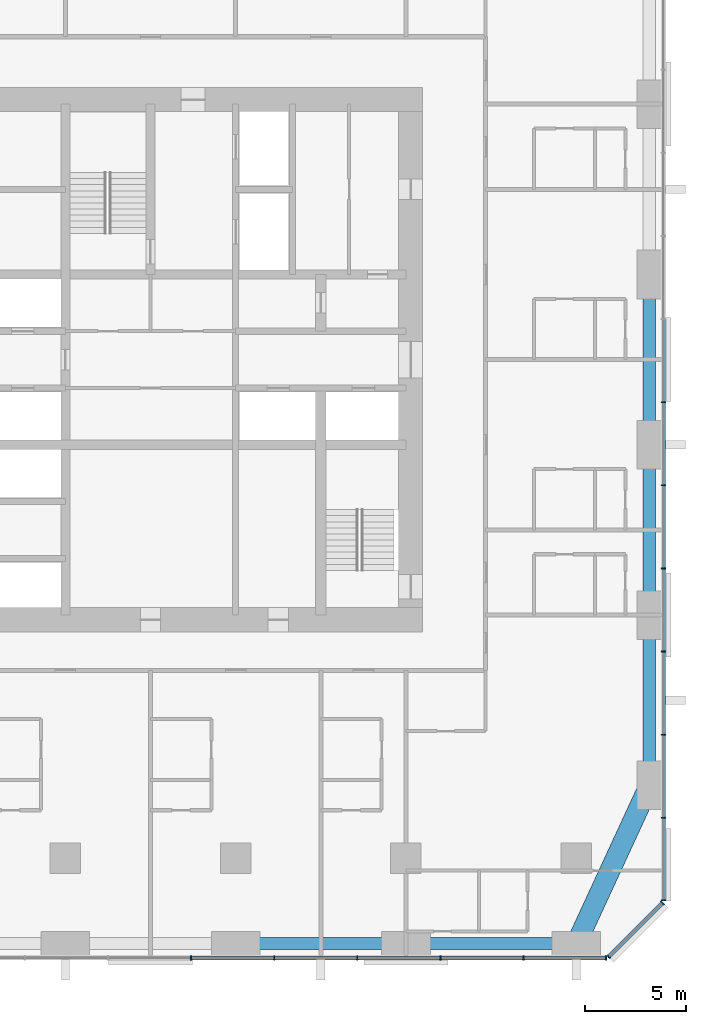
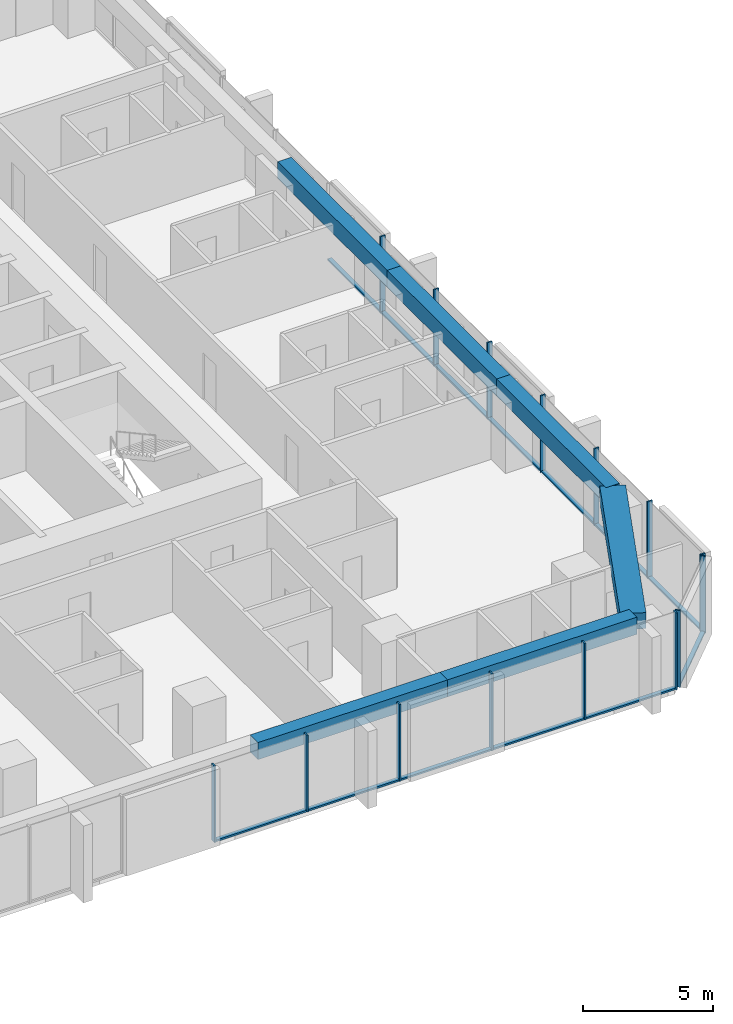
# One storey, part 4 of 14: 28 members, 6 beams, 3 elements without a shape of their own.
"""IFC4 building model written with IfcOpenShell, lengths in metres."""

from ifc_helpers import new_model, si_unit, direction, frame, origin, origin_2d, place, context, subcontext, project, spatial, rectangle, extrude, material, material_profile, profile_set, type_object, element, aggregate, save


model = new_model("IFC4")

# Units and contexts
model_context = context("Model", 3, precision=1e-05, world=origin(), true_north=direction((0.0, 1.0)))
body_context = subcontext(model_context, "Body", "Model", "MODEL_VIEW")
ifc_project = project(units=[si_unit("LENGTHUNIT", "METRE"), si_unit("AREAUNIT", "SQUARE_METRE"), si_unit("VOLUMEUNIT", "CUBIC_METRE"), si_unit("PLANEANGLEUNIT", "RADIAN"), si_unit("MASSUNIT", "GRAM", prefix="KILO")], contexts=[model_context])

# Site, building, storey
site_placement = place(None, origin())
site = spatial("IfcSite", under=ifc_project, at=site_placement, CompositionType="ELEMENT")
building_placement = place(site_placement, origin())
building = spatial("IfcBuilding", under=site, at=building_placement, Name="Dunama Terrace Hotel", CompositionType="ELEMENT")
storey_placement = place(building_placement, frame((0.0, 0.0, 100.800048828125)))
storey = spatial("IfcBuildingStorey", under=building, at=storey_placement, Name="L25", CompositionType="ELEMENT", Elevation=100.800048828125)

# Curtain wall, members
ifc_material_1 = material(Name="Aluminium curtain wall system", Category="aluminium")
curtain_wall_type = type_object("IfcCurtainWallType", Name="Unitised fritted glass wall CW-B", PredefinedType="NOTDEFINED", material=ifc_material_1)
curtain_wall_1_placement = place(storey_placement, origin())
curtain_wall_1 = element("IfcCurtainWall", 1, at=curtain_wall_1_placement, inside=storey, type_object=curtain_wall_type, Name="Unitised fritted glass wall CW-B L25", PredefinedType="NOTDEFINED")
ifc_material_2 = material(Name="Aluminium mullion", Category="aluminium")
ifc_material_profile_1 = material_profile(ifc_material_2, rectangle(XDim=0.06494140625, YDim=0.219970703125, at=origin_2d()), Name="CWB MULLION 65X220")
ifc_profile_set_1 = profile_set([ifc_material_profile_1], Name="Aluminium mullion")
member_type_1 = type_object("IfcMemberType", Name="CWB mullion 65x220", PredefinedType="MULLION", material=ifc_profile_set_1)
member_1_placement = place(storey_placement, frame((31.39990234375, -0.110107421875, 0.0), z_axis=(0.0, 0.0, 1.0), x_axis=(1.0, 0.0, 0.0)))
member_1 = element("IfcMember", 2, at=member_1_placement, type_object=member_type_1, Name="CWB mullion", PredefinedType="MULLION", context=body_context, shape_type="SweptSolid", body=[
    extrude(rectangle(XDim=0.06494140625, YDim=0.219970703125, at=origin_2d()), origin(), (0.0, 0.0, 1.0), 3.599853515625),
])
member_2_placement = place(storey_placement, frame((35.5, -0.110107421875, 0.0), z_axis=(0.0, 0.0, 1.0), x_axis=(1.0, 0.0, 0.0)))
member_2 = element("IfcMember", 3, at=member_2_placement, type_object=member_type_1, Name="CWB mullion", PredefinedType="MULLION", context=body_context, shape_type="SweptSolid", body=[
    extrude(rectangle(XDim=0.06494140625, YDim=0.219970703125, at=origin_2d()), origin(), (0.0, 0.0, 1.0), 3.599853515625),
])
member_3_placement = place(storey_placement, frame((39.60009765625, -0.110107421875, 0.0), z_axis=(0.0, 0.0, 1.0), x_axis=(1.0, 0.0, 0.0)))
member_3 = element("IfcMember", 4, at=member_3_placement, type_object=member_type_1, Name="CWB mullion", PredefinedType="MULLION", context=body_context, shape_type="SweptSolid", body=[
    extrude(rectangle(XDim=0.06494140625, YDim=0.219970703125, at=origin_2d()), origin(), (0.0, 0.0, 1.0), 3.599853515625),
])
member_4_placement = place(storey_placement, frame((43.699951171875, -0.110107421875, 0.0), z_axis=(0.0, 0.0, 1.0), x_axis=(1.0, 0.0, 0.0)))
member_4 = element("IfcMember", 5, at=member_4_placement, type_object=member_type_1, Name="CWB mullion", PredefinedType="MULLION", context=body_context, shape_type="SweptSolid", body=[
    extrude(rectangle(XDim=0.06494140625, YDim=0.219970703125, at=origin_2d()), origin(), (0.0, 0.0, 1.0), 3.599853515625),
])
member_5_placement = place(storey_placement, frame((47.800048828125, -0.110107421875, 0.0), z_axis=(0.0, 0.0, 1.0), x_axis=(1.0, 0.0, 0.0)))
member_5 = element("IfcMember", 6, at=member_5_placement, type_object=member_type_1, Name="CWB mullion", PredefinedType="MULLION", context=body_context, shape_type="SweptSolid", body=[
    extrude(rectangle(XDim=0.06494140625, YDim=0.219970703125, at=origin_2d()), origin(), (0.0, 0.0, 1.0), 3.599853515625),
])
member_6_placement = place(storey_placement, frame((51.866943359375, -0.110107421875, 0.0), z_axis=(0.0, 0.0, 1.0), x_axis=(1.0, 0.0, 0.0)))
member_6 = element("IfcMember", 7, at=member_6_placement, type_object=member_type_1, Name="CWB mullion", PredefinedType="MULLION", context=body_context, shape_type="SweptSolid", body=[
    extrude(rectangle(XDim=0.06494140625, YDim=0.219970703125, at=origin_2d()), origin(), (0.0, 0.0, 1.0), 3.599853515625),
])

curtain_wall_2_placement = place(storey_placement, origin())
curtain_wall_2 = element("IfcCurtainWall", 8, at=curtain_wall_2_placement, inside=storey, type_object=curtain_wall_type, Name="Unitised fritted glass wall CW-B L25", PredefinedType="NOTDEFINED")
member_7_placement = place(storey_placement, frame((52.0009765625, -0.054931640625, 0.0), z_axis=(0.0, 0.0, 1.0), x_axis=(0.707106781187, 0.707106781187, 0.0)))
member_7 = element("IfcMember", 9, at=member_7_placement, type_object=member_type_1, Name="CWB mullion", PredefinedType="MULLION", context=body_context, shape_type="SweptSolid", body=[
    extrude(rectangle(XDim=0.06494140625, YDim=0.219970703125, at=origin_2d()), origin(), (0.0, 0.0, 1.0), 3.599853515625),
])
member_8_placement = place(storey_placement, frame((54.655029296875, 2.59912109375, 0.0), z_axis=(0.0, 0.0, 1.0), x_axis=(0.707106781187, 0.707106781187, 0.0)))
member_8 = element("IfcMember", 10, at=member_8_placement, type_object=member_type_1, Name="CWB mullion", PredefinedType="MULLION", context=body_context, shape_type="SweptSolid", body=[
    extrude(rectangle(XDim=0.06494140625, YDim=0.219970703125, at=origin_2d()), origin(), (0.0, 0.0, 1.0), 3.599853515625),
])

curtain_wall_3_placement = place(storey_placement, origin())
curtain_wall_3 = element("IfcCurtainWall", 11, at=curtain_wall_3_placement, inside=storey, type_object=curtain_wall_type, Name="Unitised fritted glass wall CW-B L25", PredefinedType="NOTDEFINED")
member_9_placement = place(storey_placement, frame((54.7099609375, 2.73291015625, 0.0), z_axis=(0.0, 0.0, 1.0), x_axis=(0.0, 1.0, 0.0)))
member_9 = element("IfcMember", 12, at=member_9_placement, type_object=member_type_1, Name="CWB mullion", PredefinedType="MULLION", context=body_context, shape_type="SweptSolid", body=[
    extrude(rectangle(XDim=0.06494140625, YDim=0.219970703125, at=origin_2d()), origin(), (0.0, 0.0, 1.0), 3.599853515625),
])
member_10_placement = place(storey_placement, frame((54.7099609375, 6.800048828125, 0.0), z_axis=(0.0, 0.0, 1.0), x_axis=(0.0, 1.0, 0.0)))
member_10 = element("IfcMember", 13, at=member_10_placement, type_object=member_type_1, Name="CWB mullion", PredefinedType="MULLION", context=body_context, shape_type="SweptSolid", body=[
    extrude(rectangle(XDim=0.06494140625, YDim=0.219970703125, at=origin_2d()), origin(), (0.0, 0.0, 1.0), 3.599853515625),
])
member_11_placement = place(storey_placement, frame((54.7099609375, 10.89990234375, 0.0), z_axis=(0.0, 0.0, 1.0), x_axis=(0.0, 1.0, 0.0)))
member_11 = element("IfcMember", 14, at=member_11_placement, type_object=member_type_1, Name="CWB mullion", PredefinedType="MULLION", context=body_context, shape_type="SweptSolid", body=[
    extrude(rectangle(XDim=0.06494140625, YDim=0.219970703125, at=origin_2d()), origin(), (0.0, 0.0, 1.0), 3.599853515625),
])
member_12_placement = place(storey_placement, frame((54.7099609375, 15.0, 0.0), z_axis=(0.0, 0.0, 1.0), x_axis=(0.0, 1.0, 0.0)))
member_12 = element("IfcMember", 15, at=member_12_placement, type_object=member_type_1, Name="CWB mullion", PredefinedType="MULLION", context=body_context, shape_type="SweptSolid", body=[
    extrude(rectangle(XDim=0.06494140625, YDim=0.219970703125, at=origin_2d()), origin(), (0.0, 0.0, 1.0), 3.599853515625),
])
member_13_placement = place(storey_placement, frame((54.7099609375, 19.10009765625, 0.0), z_axis=(0.0, 0.0, 1.0), x_axis=(0.0, 1.0, 0.0)))
member_13 = element("IfcMember", 16, at=member_13_placement, type_object=member_type_1, Name="CWB mullion", PredefinedType="MULLION", context=body_context, shape_type="SweptSolid", body=[
    extrude(rectangle(XDim=0.06494140625, YDim=0.219970703125, at=origin_2d()), origin(), (0.0, 0.0, 1.0), 3.599853515625),
])
member_14_placement = place(storey_placement, frame((54.7099609375, 23.199951171875, 0.0), z_axis=(0.0, 0.0, 1.0), x_axis=(0.0, 1.0, 0.0)))
member_14 = element("IfcMember", 17, at=member_14_placement, type_object=member_type_1, Name="CWB mullion", PredefinedType="MULLION", context=body_context, shape_type="SweptSolid", body=[
    extrude(rectangle(XDim=0.06494140625, YDim=0.219970703125, at=origin_2d()), origin(), (0.0, 0.0, 1.0), 3.599853515625),
])
member_15_placement = place(storey_placement, frame((54.7099609375, 27.300048828125, 0.0), z_axis=(0.0, 0.0, 1.0), x_axis=(0.0, 1.0, 0.0)))
member_15 = element("IfcMember", 18, at=member_15_placement, type_object=member_type_1, Name="CWB mullion", PredefinedType="MULLION", context=body_context, shape_type="SweptSolid", body=[
    extrude(rectangle(XDim=0.06494140625, YDim=0.219970703125, at=origin_2d()), origin(), (0.0, 0.0, 1.0), 3.599853515625),
])

# Member
ifc_material_3 = material(Name="Aluminium transom", Category="aluminium")
ifc_material_profile_2 = material_profile(ifc_material_3, rectangle(XDim=0.179931640625, YDim=0.080078125, at=origin_2d()), Name="CWB TRANSOM 180X80")
ifc_profile_set_2 = profile_set([ifc_material_profile_2], Name="Aluminium transom")
member_type_2 = type_object("IfcMemberType", Name="CWB transom 180x80", PredefinedType="USERDEFINED", material=ifc_profile_set_2)
member_16_placement = place(storey_placement, frame((31.431884765625, -0.110107421875, 0.0400390625), z_axis=(1.0, 0.0, 0.0), x_axis=(0.0, 1.0, 0.0)))
member_16 = element("IfcMember", 19, at=member_16_placement, type_object=member_type_2, Name="CWB transom", ObjectType="TRANSOM", PredefinedType="USERDEFINED", context=body_context, shape_type="SweptSolid", body=[
    extrude(rectangle(XDim=0.179931640625, YDim=0.080078125, at=origin_2d()), origin(), (0.0, 0.0, 1.0), 4.0361328125),
])

member_17_placement = place(storey_placement, frame((35.531982421875, -0.110107421875, 0.0400390625), z_axis=(1.0, 0.0, 0.0), x_axis=(0.0, 1.0, 0.0)))
member_17 = element("IfcMember", 20, at=member_17_placement, type_object=member_type_2, Name="CWB transom", ObjectType="TRANSOM", PredefinedType="USERDEFINED", context=body_context, shape_type="SweptSolid", body=[
    extrude(rectangle(XDim=0.179931640625, YDim=0.080078125, at=origin_2d()), origin(), (0.0, 0.0, 1.0), 4.0361328125),
])

member_18_placement = place(storey_placement, frame((39.633056640625, -0.110107421875, 0.0400390625), z_axis=(1.0, 0.0, 0.0), x_axis=(0.0, 1.0, 0.0)))
member_18 = element("IfcMember", 21, at=member_18_placement, type_object=member_type_2, Name="CWB transom", ObjectType="TRANSOM", PredefinedType="USERDEFINED", context=body_context, shape_type="SweptSolid", body=[
    extrude(rectangle(XDim=0.179931640625, YDim=0.080078125, at=origin_2d()), origin(), (0.0, 0.0, 1.0), 4.034912109375),
])

member_19_placement = place(storey_placement, frame((43.73291015625, -0.110107421875, 0.0400390625), z_axis=(1.0, 0.0, 0.0), x_axis=(0.0, 1.0, 0.0)))
member_19 = element("IfcMember", 22, at=member_19_placement, type_object=member_type_2, Name="CWB transom", ObjectType="TRANSOM", PredefinedType="USERDEFINED", context=body_context, shape_type="SweptSolid", body=[
    extrude(rectangle(XDim=0.179931640625, YDim=0.080078125, at=origin_2d()), origin(), (0.0, 0.0, 1.0), 4.0341796875),
])

member_20_placement = place(storey_placement, frame((47.83203125, -0.110107421875, 0.0400390625), z_axis=(1.0, 0.0, 0.0), x_axis=(0.0, 1.0, 0.0)))
member_20 = element("IfcMember", 23, at=member_20_placement, type_object=member_type_2, Name="CWB transom", ObjectType="TRANSOM", PredefinedType="USERDEFINED", context=body_context, shape_type="SweptSolid", body=[
    extrude(rectangle(XDim=0.179931640625, YDim=0.080078125, at=origin_2d()), origin(), (0.0, 0.0, 1.0), 4.0029296875),
])

aggregate(curtain_wall_1, [member_1, member_2, member_3, member_4, member_5, member_6, member_16, member_17, member_18, member_19, member_20])

member_21_placement = place(storey_placement, frame((52.02392578125, -0.031982421875, 0.0400390625), z_axis=(0.707139876915, 0.707073683909, 0.0), x_axis=(-0.707073683909, 0.707139876915, 0.0)))
member_21 = element("IfcMember", 24, at=member_21_placement, type_object=member_type_2, Name="CWB transom", ObjectType="TRANSOM", PredefinedType="USERDEFINED", context=body_context, shape_type="SweptSolid", body=[
    extrude(rectangle(XDim=0.179931640625, YDim=0.080078125, at=origin_2d()), origin(), (0.0, 0.0, 1.0), 3.688232421875),
])

aggregate(curtain_wall_2, [member_7, member_8, member_21])

member_22_placement = place(storey_placement, frame((54.7099609375, 2.764892578125, 0.0400390625), z_axis=(0.0, 1.0, 0.0), x_axis=(-1.0, 0.0, 0.0)))
member_22 = element("IfcMember", 25, at=member_22_placement, type_object=member_type_2, Name="CWB transom", ObjectType="TRANSOM", PredefinedType="USERDEFINED", context=body_context, shape_type="SweptSolid", body=[
    extrude(rectangle(XDim=0.179931640625, YDim=0.080078125, at=origin_2d()), origin(), (0.0, 0.0, 1.0), 4.003173828125),
])

member_23_placement = place(storey_placement, frame((54.7099609375, 6.83203125, 0.0400390625), z_axis=(0.0, 1.0, 0.0), x_axis=(-1.0, 0.0, 0.0)))
member_23 = element("IfcMember", 26, at=member_23_placement, type_object=member_type_2, Name="CWB transom", ObjectType="TRANSOM", PredefinedType="USERDEFINED", context=body_context, shape_type="SweptSolid", body=[
    extrude(rectangle(XDim=0.179931640625, YDim=0.080078125, at=origin_2d()), origin(), (0.0, 0.0, 1.0), 4.034912109375),
])

member_24_placement = place(storey_placement, frame((54.7099609375, 10.93310546875, 0.0400390625), z_axis=(0.0, 1.0, 0.0), x_axis=(-1.0, 0.0, 0.0)))
member_24 = element("IfcMember", 27, at=member_24_placement, type_object=member_type_2, Name="CWB transom", ObjectType="TRANSOM", PredefinedType="USERDEFINED", context=body_context, shape_type="SweptSolid", body=[
    extrude(rectangle(XDim=0.179931640625, YDim=0.080078125, at=origin_2d()), origin(), (0.0, 0.0, 1.0), 4.033935546875),
])

member_25_placement = place(storey_placement, frame((54.7099609375, 15.031982421875, 0.0400390625), z_axis=(0.0, 1.0, 0.0), x_axis=(-1.0, 0.0, 0.0)))
member_25 = element("IfcMember", 28, at=member_25_placement, type_object=member_type_2, Name="CWB transom", ObjectType="TRANSOM", PredefinedType="USERDEFINED", context=body_context, shape_type="SweptSolid", body=[
    extrude(rectangle(XDim=0.179931640625, YDim=0.080078125, at=origin_2d()), origin(), (0.0, 0.0, 1.0), 4.034912109375),
])

member_26_placement = place(storey_placement, frame((54.7099609375, 19.132080078125, 0.0400390625), z_axis=(0.0, 1.0, 0.0), x_axis=(-1.0, 0.0, 0.0)))
member_26 = element("IfcMember", 29, at=member_26_placement, type_object=member_type_2, Name="CWB transom", ObjectType="TRANSOM", PredefinedType="USERDEFINED", context=body_context, shape_type="SweptSolid", body=[
    extrude(rectangle(XDim=0.179931640625, YDim=0.080078125, at=origin_2d()), origin(), (0.0, 0.0, 1.0), 4.035888671875),
])

member_27_placement = place(storey_placement, frame((54.7099609375, 23.23193359375, 0.0400390625), z_axis=(0.0, 1.0, 0.0), x_axis=(-1.0, 0.0, 0.0)))
member_27 = element("IfcMember", 30, at=member_27_placement, type_object=member_type_2, Name="CWB transom", ObjectType="TRANSOM", PredefinedType="USERDEFINED", context=body_context, shape_type="SweptSolid", body=[
    extrude(rectangle(XDim=0.179931640625, YDim=0.080078125, at=origin_2d()), origin(), (0.0, 0.0, 1.0), 4.03515625),
])

member_28_placement = place(storey_placement, frame((54.7099609375, 27.33203125, 0.0400390625), z_axis=(0.0, 1.0, 0.0), x_axis=(-1.0, 0.0, 0.0)))
member_28 = element("IfcMember", 31, at=member_28_placement, type_object=member_type_2, Name="CWB transom", ObjectType="TRANSOM", PredefinedType="USERDEFINED", context=body_context, shape_type="SweptSolid", body=[
    extrude(rectangle(XDim=0.179931640625, YDim=0.080078125, at=origin_2d()), origin(), (0.0, 0.0, 1.0), 4.034912109375),
])

aggregate(curtain_wall_3, [member_9, member_10, member_11, member_12, member_13, member_14, member_15, member_22, member_23, member_24, member_25, member_26, member_27, member_28])

# Beams
ifc_material_4 = material(Name="Concrete C50/60", Category="concrete")
ifc_material_profile_3 = material_profile(ifc_material_4, rectangle(XDim=1.0, YDim=0.75, at=origin_2d()), Name="RC 1000x750")
ifc_profile_set_3 = profile_set([ifc_material_profile_3], Name="Concrete C50/60")
beam_type_1 = type_object("IfcBeamType", Name="Edge beam RC 1000x750", PredefinedType="SPANDREL", material=ifc_profile_set_3)
beam_1_placement = place(storey_placement, frame((50.39990234375, 0.60009765625, 3.224853515625), z_axis=(0.419076199598, 0.907951066374, 0.0), x_axis=(-0.907951066374, 0.419076199598, 0.0)))
element("IfcBeam", 32, at=beam_1_placement, inside=storey, type_object=beam_type_1, Name="Corner edge beam under L26", PredefinedType="SPANDREL", context=body_context, shape_type="SweptSolid", body=[
    extrude(rectangle(XDim=1.0, YDim=0.75, at=origin_2d()), origin(), (0.0, 0.0, 1.0), 8.590576171875),
])
ifc_material_5 = material(Name="Concrete C40/50", Category="concrete")
ifc_material_profile_4 = material_profile(ifc_material_5, rectangle(XDim=0.60009765625, YDim=0.800048828125, at=origin_2d()), Name="RC 600x800")
ifc_profile_set_4 = profile_set([ifc_material_profile_4], Name="Concrete C40/50")
beam_type_2 = type_object("IfcBeamType", Name="Edge beam RC 600x800", PredefinedType="SPANDREL", material=ifc_profile_set_4)
beam_2_placement = place(storey_placement, frame((54.0, 8.39990234375, 3.199951171875), z_axis=(0.0, 1.0, 0.0), x_axis=(-1.0, 0.0, 0.0)))
element("IfcBeam", 33, at=beam_2_placement, inside=storey, type_object=beam_type_2, Name="Edge beam under L26", PredefinedType="SPANDREL", context=body_context, shape_type="SweptSolid", body=[
    extrude(rectangle(XDim=0.60009765625, YDim=0.800048828125, at=origin_2d()), origin(), (0.0, 0.0, 1.0), 8.400146484375),
])
beam_3_placement = place(storey_placement, frame((54.0, 16.800048828125, 3.199951171875), z_axis=(0.0, 1.0, 0.0), x_axis=(-1.0, 0.0, 0.0)))
element("IfcBeam", 34, at=beam_3_placement, inside=storey, type_object=beam_type_2, Name="Edge beam under L26", PredefinedType="SPANDREL", context=body_context, shape_type="SweptSolid", body=[
    extrude(rectangle(XDim=0.60009765625, YDim=0.800048828125, at=origin_2d()), origin(), (0.0, 0.0, 1.0), 8.39990234375),
])
beam_4_placement = place(storey_placement, frame((54.0, 25.199951171875, 3.199951171875), z_axis=(0.0, 1.0, 0.0), x_axis=(-1.0, 0.0, 0.0)))
element("IfcBeam", 35, at=beam_4_placement, inside=storey, type_object=beam_type_2, Name="Edge beam under L26", PredefinedType="SPANDREL", context=body_context, shape_type="SweptSolid", body=[
    extrude(rectangle(XDim=0.60009765625, YDim=0.800048828125, at=origin_2d()), origin(), (0.0, 0.0, 1.0), 8.400146484375),
])
for number, where, z_axis, x_axis, name in (
    (36, (33.60009765625, 0.60009765625, 3.199951171875), (1.0, 0.0, 0.0), (0.0, 1.0, 0.0), "Edge beam under L26"),
    (37, (42.0, 0.60009765625, 3.199951171875), (1.0, 0.0, 0.0), (0.0, 1.0, 0.0), "Edge beam under L26"),
):
    element("IfcBeam", number, at=place(storey_placement, frame(where, z_axis=z_axis, x_axis=x_axis)), inside=storey, type_object=beam_type_2, Name=name, PredefinedType="SPANDREL", context=body_context, shape_type="SweptSolid", body=[
        extrude(rectangle(XDim=0.60009765625, YDim=0.800048828125, at=origin_2d()), origin(), (0.0, 0.0, 1.0), 8.39990234375),
    ])

save(model, "model.ifc")
